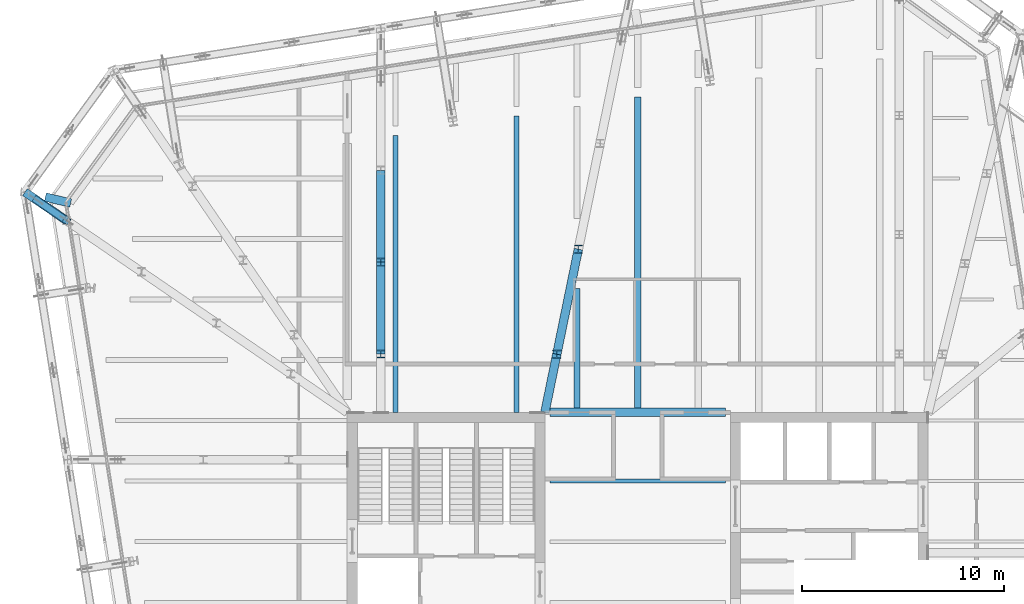
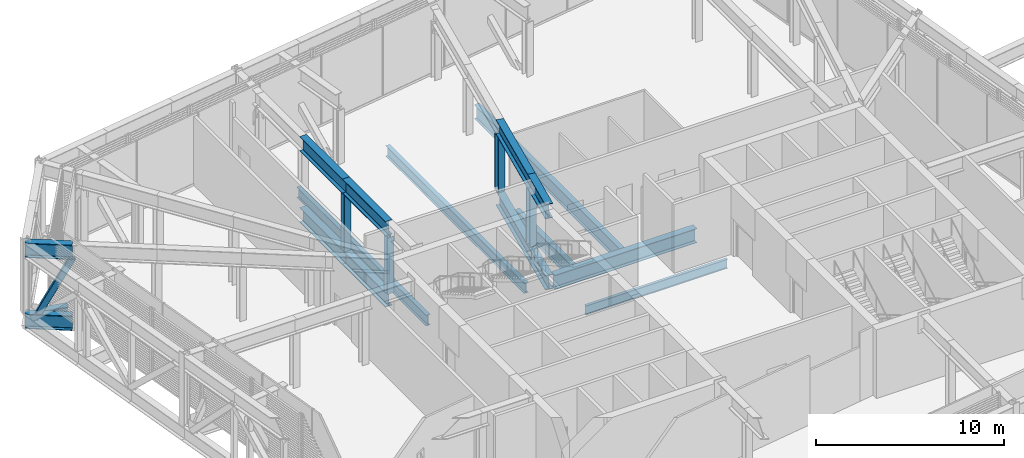
# One storey, part 12 of 35: 17 beams, 5 members.
"""IFC4 building model written with IfcOpenShell, lengths in metres."""

from ifc_helpers import new_model, si_unit, direction, frame, origin, origin_2d, place, context, subcontext, project, spatial, hollow_rectangle, i_section, extrude, material, material_profile, profile_set, type_object, element, save


model = new_model("IFC4")

# Units and contexts
model_context = context("Model", 3, precision=1e-05, world=origin(), true_north=direction((0.0, 1.0)))
body_context = subcontext(model_context, "Body", "Model", "MODEL_VIEW")
ifc_project = project(units=[si_unit("LENGTHUNIT", "METRE"), si_unit("AREAUNIT", "SQUARE_METRE"), si_unit("VOLUMEUNIT", "CUBIC_METRE"), si_unit("PLANEANGLEUNIT", "RADIAN"), si_unit("MASSUNIT", "GRAM", prefix="KILO")], contexts=[model_context])

# Site, building, storey
site_placement = place(None, origin())
site = spatial("IfcSite", under=ifc_project, at=site_placement, CompositionType="ELEMENT")
building_placement = place(site_placement, origin())
building = spatial("IfcBuilding", under=site, at=building_placement, Name="Millrace Tower", CompositionType="ELEMENT")
storey_placement = place(building_placement, frame((0.0, 0.0, 200.10009765625)))
storey = spatial("IfcBuildingStorey", under=building, at=storey_placement, Name="L45", CompositionType="ELEMENT", Elevation=200.10009765625)

# Beams
ifc_material_1 = material(Name="Steel ASTM A992 Grade 50", Category="steel")
ifc_material_profile_1 = material_profile(ifc_material_1, i_section(OverallWidth=0.177978515625, OverallDepth=0.599365234375, WebThickness=0.010009765625, FlangeThickness=0.012939453125, FilletRadius=0.012939453125, at=origin_2d()))
ifc_profile_set_1 = profile_set([ifc_material_profile_1], Name="Steel ASTM A992 Grade 50")
beam_type_1 = type_object("IfcBeamType", Name="Floor beam W24x55", PredefinedType="JOIST", material=ifc_profile_set_1)
beam_1_placement = place(storey_placement, frame((-4.35009765625, 6.0, -0.459716796875), z_axis=(1.0, 0.0, 0.0), x_axis=(0.0, 1.0, 0.0)))
element("IfcBeam", 1, at=beam_1_placement, inside=storey, type_object=beam_type_1, Name="BM-D-L45-S1-S020", PredefinedType="JOIST", context=body_context, shape_type="SweptSolid", body=[
    extrude(i_section(OverallWidth=0.177978515625, OverallDepth=0.599365234375, WebThickness=0.010009765625, FlangeThickness=0.012939453125, FilletRadius=0.012939453125, at=origin_2d()), origin(), (0.0, 0.0, 1.0), 8.7001953125),
])
ifc_material_2 = material(Name="Steel ASTM A992 Grade 50", Category="steel")
ifc_material_profile_2 = material_profile(ifc_material_2, i_section(OverallWidth=0.256591796875, OverallDepth=0.693359375, WebThickness=0.014404296875, FlangeThickness=0.023681640625, FilletRadius=0.01513671875, at=origin_2d()))
ifc_profile_set_2 = profile_set([ifc_material_profile_2], Name="Steel ASTM A992 Grade 50")
beam_type_2 = type_object("IfcBeamType", Name="Floor beam W27x114", PredefinedType="JOIST", material=ifc_profile_set_2)
beam_2_placement = place(storey_placement, frame((-6.0, 9.39990234375, -0.5068359375), z_axis=(0.0, 1.0, 0.0), x_axis=(-1.0, 0.0, 0.0)))
element("IfcBeam", 2, at=beam_2_placement, inside=storey, type_object=beam_type_2, Name="BM-D-L45-S1-S040-a", PredefinedType="JOIST", context=body_context, shape_type="SweptSolid", body=[
    extrude(i_section(OverallWidth=0.256591796875, OverallDepth=0.693359375, WebThickness=0.014404296875, FlangeThickness=0.023681640625, FilletRadius=0.01513671875, at=origin_2d()), origin(), (0.0, 0.0, 1.0), 14.689697265625),
])
beam_3_placement = place(storey_placement, frame((-12.0, 9.39990234375, -0.5068359375), z_axis=(0.0, 1.0, 0.0), x_axis=(-1.0, 0.0, 0.0)))
element("IfcBeam", 3, at=beam_3_placement, inside=storey, type_object=beam_type_2, Name="BM-D-L45-S1-S036-a", PredefinedType="JOIST", context=body_context, shape_type="SweptSolid", body=[
    extrude(i_section(OverallWidth=0.256591796875, OverallDepth=0.693359375, WebThickness=0.014404296875, FlangeThickness=0.023681640625, FilletRadius=0.01513671875, at=origin_2d()), origin(), (0.0, 0.0, 1.0), 13.739501953125),
])
ifc_material_3 = material(Name="Steel ASTM A992 Grade 50", Category="steel")
ifc_material_profile_3 = material_profile(ifc_material_3, i_section(OverallWidth=0.307373046875, OverallDepth=0.927001953125, WebThickness=0.01953125, FlangeThickness=0.031982421875, FilletRadius=0.01904296875, at=origin_2d()))
ifc_profile_set_3 = profile_set([ifc_material_profile_3], Name="Steel ASTM A992 Grade 50")
beam_type_3 = type_object("IfcBeamType", Name="Floor beam W36x194", PredefinedType="JOIST", material=ifc_profile_set_3)
beam_4_placement = place(storey_placement, frame((0.0, 9.609619140625, -0.62353515625), z_axis=(0.0, 1.0, 0.0), x_axis=(-1.0, 0.0, 0.0)))
element("IfcBeam", 4, at=beam_4_placement, inside=storey, type_object=beam_type_3, Name="BM-D-L45-S1-S044-a", PredefinedType="JOIST", context=body_context, shape_type="SweptSolid", body=[
    extrude(i_section(OverallWidth=0.307373046875, OverallDepth=0.927001953125, WebThickness=0.01953125, FlangeThickness=0.031982421875, FilletRadius=0.01904296875, at=origin_2d()), origin(), (0.0, 0.0, 1.0), 15.424560546875),
])
beam_5_placement = place(storey_placement, frame((-3.0, 9.609619140625, -0.62353515625), z_axis=(0.0, 1.0, 0.0), x_axis=(-1.0, 0.0, 0.0)))
element("IfcBeam", 5, at=beam_5_placement, inside=storey, type_object=beam_type_3, Name="BM-D-L45-S1-S042-a-a", PredefinedType="JOIST", context=body_context, shape_type="SweptSolid", body=[
    extrude(i_section(OverallWidth=0.307373046875, OverallDepth=0.927001953125, WebThickness=0.01953125, FlangeThickness=0.031982421875, FilletRadius=0.01904296875, at=origin_2d()), origin(), (0.0, 0.0, 1.0), 5.933837890625),
])
ifc_material_4 = material(Name="Steel ASTM A992 Grade 50", Category="steel")
ifc_material_profile_4 = material_profile(ifc_material_4, i_section(OverallWidth=0.419189453125, OverallDepth=0.927001953125, WebThickness=0.019287109375, FlangeThickness=0.031982421875, FilletRadius=0.024169921875, at=origin_2d()))
ifc_profile_set_4 = profile_set([ifc_material_profile_4], Name="Steel ASTM A992 Grade 50")
beam_type_4 = type_object("IfcBeamType", Name="Girder short span W36x231", PredefinedType="BEAM", material=ifc_profile_set_4)
beam_6_placement = place(storey_placement, frame((-4.35009765625, 9.39990234375, -0.62353515625), z_axis=(1.0, 0.0, 0.0), x_axis=(0.0, 1.0, 0.0)))
element("IfcBeam", 6, at=beam_6_placement, inside=storey, type_object=beam_type_4, Name="BM-D-L45-S1-G058", PredefinedType="BEAM", context=body_context, shape_type="SweptSolid", body=[
    extrude(i_section(OverallWidth=0.419189453125, OverallDepth=0.927001953125, WebThickness=0.019287109375, FlangeThickness=0.031982421875, FilletRadius=0.024169921875, at=origin_2d()), origin(), (0.0, 0.0, 1.0), 8.7001953125),
])
ifc_material_5 = material(Name="Steel ASTM A992 Grade 50", Category="steel")
ifc_material_profile_5 = material_profile(ifc_material_5, i_section(OverallWidth=0.421630859375, OverallDepth=0.95751953125, WebThickness=0.02587890625, FlangeThickness=0.046875, FilletRadius=0.024169921875, at=origin_2d()))
ifc_profile_set_5 = profile_set([ifc_material_profile_5], Name="Steel ASTM A992 Grade 50")
beam_type_5 = type_object("IfcBeamType", Name="Link beam W36x330", PredefinedType="BEAM", material=ifc_profile_set_5)
beam_7_placement = place(storey_placement, frame((-28.11181640625, 19.780517578125, -0.638916015625), z_axis=(-0.972375252164, 0.233423154332, 0.0), x_axis=(-0.233423154332, -0.972375252164, 0.0)))
element("IfcBeam", 7, at=beam_7_placement, inside=storey, type_object=beam_type_5, Name="LNK-D-L45-S1-04", PredefinedType="BEAM", context=body_context, shape_type="SweptSolid", body=[
    extrude(i_section(OverallWidth=0.421630859375, OverallDepth=0.95751953125, WebThickness=0.02587890625, FlangeThickness=0.046875, FilletRadius=0.024169921875, at=origin_2d()), origin(), (0.0, 0.0, 1.0), 1.28759765625),
])

# Members
ifc_material_6 = material(Name="Steel ASTM A992 Grade 50", Category="steel")
ifc_material_profile_6 = material_profile(ifc_material_6, i_section(OverallWidth=0.40380859375, OverallDepth=0.406494140625, WebThickness=0.027099609375, FlangeThickness=0.043701171875, FilletRadius=0.01513671875, at=origin_2d()))
ifc_profile_set_6 = profile_set([ifc_material_profile_6], Name="Steel ASTM A992 Grade 50")
member_type_1 = type_object("IfcMemberType", Name="Transfer truss Vierendeel moment post W14x233", PredefinedType="POST", material=ifc_profile_set_6)
for number, where, z_axis, x_axis, name in (
    (8, (-2.93994140625, 17.496826171875, -0.16015625), (0.0, 0.0, 1.0), (1.0, 0.0, 0.0), "TRS-L45-C11-V03"),
    (9, (-4.007568359375, 12.289794921875, -0.16015625), (0.0, 0.0, 1.0), (1.0, 0.0, 0.0), "TRS-L45-C11-V04"),
    (10, (-12.7333984375, 16.856689453125, -0.16015625), (0.0, 0.0, 1.0), (1.0, 0.0, 0.0), "TRS-L45-C12-V03"),
    (11, (-12.7333984375, 12.300048828125, -0.16015625), (0.0, 0.0, 1.0), (1.0, 0.0, 0.0), "TRS-L45-C12-V04"),
):
    element("IfcMember", number, at=place(storey_placement, frame(where, z_axis=z_axis, x_axis=x_axis)), inside=storey, type_object=member_type_1, Name=name, PredefinedType="POST", context=body_context, shape_type="SweptSolid", body=[
        extrude(i_section(OverallWidth=0.40380859375, OverallDepth=0.406494140625, WebThickness=0.027099609375, FlangeThickness=0.043701171875, FilletRadius=0.01513671875, at=origin_2d()), origin(), (0.0, 0.0, 1.0), 3.652587890625),
    ])

# Beams
ifc_material_7 = material(Name="Steel ASTM A992 Grade 50", Category="steel")
ifc_material_profile_7 = material_profile(ifc_material_7, i_section(OverallWidth=0.424072265625, OverallDepth=0.947509765625, WebThickness=0.02392578125, FlangeThickness=0.042724609375, FilletRadius=0.024169921875, at=origin_2d()))
ifc_profile_set_7 = profile_set([ifc_material_profile_7], Name="Steel ASTM A992 Grade 50")
beam_type_6 = type_object("IfcBeamType", Name="Transfer truss chord W36x302", PredefinedType="BEAM", material=ifc_profile_set_7)
for number, where, z_axis, x_axis, name in (
    (12, (-2.93994140625, 17.496826171875, -0.6337890625), (-0.200857119975, -0.979620547638, 0.0), (0.979620547638, -0.200857119975, 0.0), "TRS-L45-C11-B04"),
    (13, (-2.93994140625, 17.496826171875, 3.96630859375), (-0.200857119975, -0.979620547638, 0.0), (0.979620547638, -0.200857119975, 0.0), "TRS-L45-C11-T04"),
):
    element("IfcBeam", number, at=place(storey_placement, frame(where, z_axis=z_axis, x_axis=x_axis)), inside=storey, type_object=beam_type_6, Name=name, PredefinedType="BEAM", context=body_context, shape_type="SweptSolid", body=[
        extrude(i_section(OverallWidth=0.424072265625, OverallDepth=0.947509765625, WebThickness=0.02392578125, FlangeThickness=0.042724609375, FilletRadius=0.024169921875, at=origin_2d()), origin(), (0.0, 0.0, 1.0), 5.3154296875),
    ])
for number, where, z_axis, x_axis, name in (
    (14, (-4.007568359375, 12.289794921875, -0.6337890625), (-0.200856580029, -0.979620658346, 0.0), (0.979620658346, -0.200856580029, 0.0), "TRS-L45-C11-B05"),
    (15, (-4.007568359375, 12.289794921875, 3.96630859375), (-0.200856580029, -0.979620658346, 0.0), (0.979620658346, -0.200856580029, 0.0), "TRS-L45-C11-T05"),
):
    element("IfcBeam", number, at=place(storey_placement, frame(where, z_axis=z_axis, x_axis=x_axis)), inside=storey, type_object=beam_type_6, Name=name, PredefinedType="BEAM", context=body_context, shape_type="SweptSolid", body=[
        extrude(i_section(OverallWidth=0.424072265625, OverallDepth=0.947509765625, WebThickness=0.02392578125, FlangeThickness=0.042724609375, FilletRadius=0.024169921875, at=origin_2d()), origin(), (0.0, 0.0, 1.0), 2.949951171875),
    ])
for number, where, z_axis, x_axis, name in (
    (16, (-12.7333984375, 21.40673828125, -0.6337890625), (0.0, -1.0, 0.0), (1.0, 0.0, 0.0), "TRS-L45-C12-B03"),
    (17, (-12.7333984375, 21.40673828125, 3.96630859375), (0.0, -1.0, 0.0), (1.0, 0.0, 0.0), "TRS-L45-C12-T03"),
):
    element("IfcBeam", number, at=place(storey_placement, frame(where, z_axis=z_axis, x_axis=x_axis)), inside=storey, type_object=beam_type_6, Name=name, PredefinedType="BEAM", context=body_context, shape_type="SweptSolid", body=[
        extrude(i_section(OverallWidth=0.424072265625, OverallDepth=0.947509765625, WebThickness=0.02392578125, FlangeThickness=0.042724609375, FilletRadius=0.024169921875, at=origin_2d()), origin(), (0.0, 0.0, 1.0), 4.550048828125),
    ])
for number, where, z_axis, x_axis, name in (
    (18, (-12.7333984375, 16.856689453125, -0.6337890625), (0.0, -1.0, 0.0), (1.0, 0.0, 0.0), "TRS-L45-C12-B04"),
    (19, (-12.7333984375, 16.856689453125, 3.96630859375), (0.0, -1.0, 0.0), (1.0, 0.0, 0.0), "TRS-L45-C12-T04"),
):
    element("IfcBeam", number, at=place(storey_placement, frame(where, z_axis=z_axis, x_axis=x_axis)), inside=storey, type_object=beam_type_6, Name=name, PredefinedType="BEAM", context=body_context, shape_type="SweptSolid", body=[
        extrude(i_section(OverallWidth=0.424072265625, OverallDepth=0.947509765625, WebThickness=0.02392578125, FlangeThickness=0.042724609375, FilletRadius=0.024169921875, at=origin_2d()), origin(), (0.0, 0.0, 1.0), 4.556640625),
    ])
for number, where, z_axis, x_axis, name in (
    (20, (-30.37841796875, 20.32470703125, -0.6337890625), (0.825472501337, -0.564442334997, 0.0), (0.564442334997, 0.825472501337, 0.0), "TRS-L45-C14-B01"),
    (21, (-30.37841796875, 20.32470703125, 3.96630859375), (0.825472501337, -0.564442334997, 0.0), (0.564442334997, 0.825472501337, 0.0), "TRS-L45-C14-T01"),
):
    element("IfcBeam", number, at=place(storey_placement, frame(where, z_axis=z_axis, x_axis=x_axis)), inside=storey, type_object=beam_type_6, Name=name, PredefinedType="BEAM", context=body_context, shape_type="SweptSolid", body=[
        extrude(i_section(OverallWidth=0.424072265625, OverallDepth=0.947509765625, WebThickness=0.02392578125, FlangeThickness=0.042724609375, FilletRadius=0.024169921875, at=origin_2d()), origin(), (0.0, 0.0, 1.0), 2.5),
    ])

# Member
ifc_material_8 = material(Name="Steel ASTM A500 Grade C", Category="steel")
ifc_material_profile_8 = material_profile(ifc_material_8, hollow_rectangle(XDim=0.355712890625, YDim=0.355712890625, WallThickness=0.015869140625, InnerFilletRadius=0.008056640625, OuterFilletRadius=0.02392578125, at=origin_2d()))
ifc_profile_set_8 = profile_set([ifc_material_profile_8], Name="Steel ASTM A500 Grade C")
member_type_2 = type_object("IfcMemberType", Name="Transfer truss diagonal HSS14x14x5/8", PredefinedType="BRACE", material=ifc_profile_set_8)
member_placement = place(storey_placement, frame((-29.800537109375, 19.9296875, -0.16015625), z_axis=(0.36488727942, -0.249533496048, 0.896989580579), x_axis=(0.564489412523, 0.825440308653, 0.0)))
element("IfcMember", 22, at=member_placement, inside=storey, type_object=member_type_2, Name="TRS-L45-C14-D01", PredefinedType="BRACE", context=body_context, shape_type="SweptSolid", body=[
    extrude(hollow_rectangle(XDim=0.355712890625, YDim=0.355712890625, WallThickness=0.015869140625, InnerFilletRadius=0.008056640625, OuterFilletRadius=0.02392578125, at=origin_2d()), origin(), (0.0, 0.0, 1.0), 4.072021484375),
])

save(model, "model.ifc")
